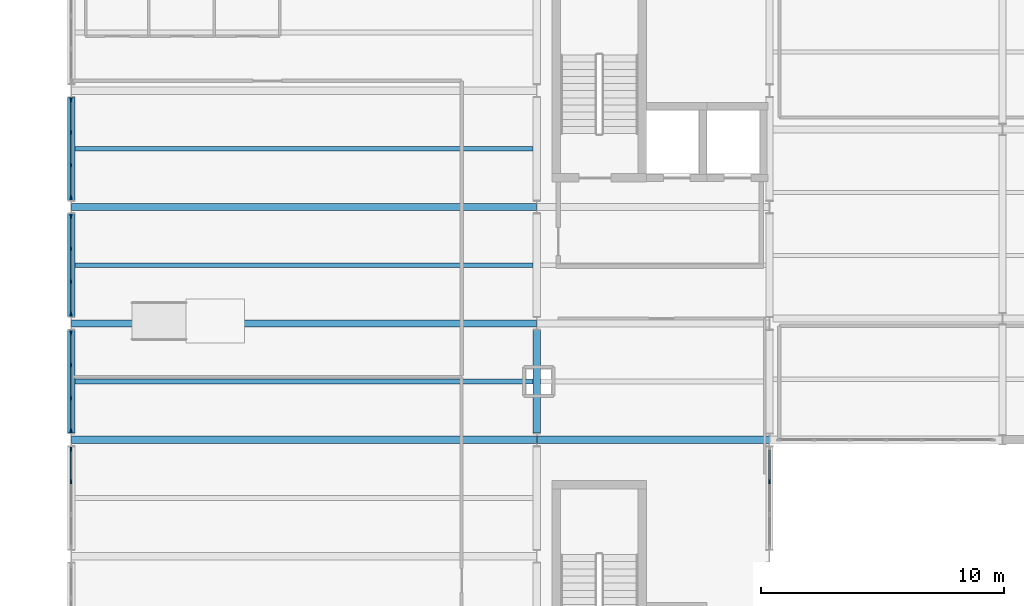
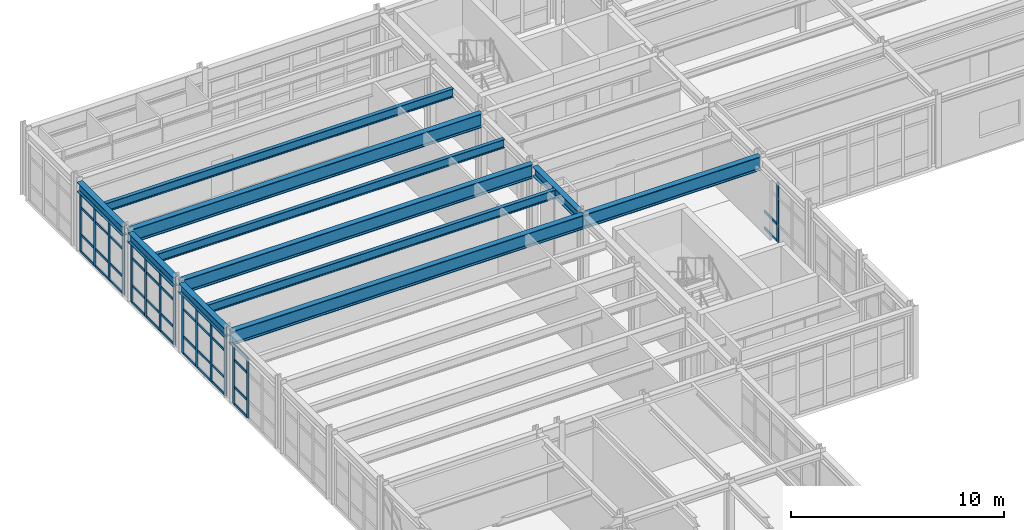
# One storey, part 32 of 88: 57 members, 11 beams, 5 elements without a shape of their own.
"""IFC4 building model written with IfcOpenShell, lengths in metres."""

import ifcopenshell
import ifcopenshell.guid

model = None  # the IFC model being written
_history = None  # IfcOwnerHistory: only IFC2X3 demands one
_inside = {}  # id of a spatial element -> (the spatial element, [elements in it])
_under = {}  # id of a project, library or spatial element -> (it, [spatial elements below it])
_declared = {}  # id of a project -> (the project, [libraries it declares])
_typed = {}  # id of a type object -> (the type object, [elements of that type])
_made_of = {}  # id of a material, layer set ... -> (it, [elements and type objects made of it])


def new_model(schema):
    """Start an empty IFC model of exactly this schema.

    Asked for "IFC4X3", IfcOpenShell would pick the latest addendum, in which some entities
    have other attributes; the version numbers below select the first issue.
    IFC2X3 requires an IfcOwnerHistory on every rooted entity: one is made here for all.
    """
    global model, _history
    if schema == "IFC4X3":
        model = ifcopenshell.file(schema_version=(4, 3, 0, 0))
    else:
        model = ifcopenshell.file(schema=schema)
    _inside.clear()
    _under.clear()
    _declared.clear()
    _typed.clear()
    _made_of.clear()
    _history = None
    if model.schema == "IFC2X3":
        org = make("IfcOrganization", Name="unknown")
        user = make(
            "IfcPersonAndOrganization",
            ThePerson=make("IfcPerson", FamilyName="unknown"),
            TheOrganization=org,
        )
        app = make(
            "IfcApplication",
            ApplicationDeveloper=org,
            Version="unknown",
            ApplicationFullName="unknown",
            ApplicationIdentifier="unknown",
        )
        _history = make(
            "IfcOwnerHistory",
            OwningUser=user,
            OwningApplication=app,
            ChangeAction="ADDED",
            CreationDate=0,
        )
    return model


def make(cls, **values):
    """One entity of the class cls with the attributes given. An attribute that is None is left unset."""
    return model.create_entity(
        cls, **{name: value for name, value in values.items() if value is not None}
    )


def rooted(cls, **values):
    """An entity with a GlobalId (a new one), such as an element, a storey or a relation."""
    return make(cls, GlobalId=ifcopenshell.guid.new(), OwnerHistory=_history, **values)


def si_unit(unit_type, name, prefix=None):
    """IfcSIUnit, for example si_unit("LENGTHUNIT", "METRE", prefix="MILLI")."""
    return make("IfcSIUnit", UnitType=unit_type, Prefix=prefix, Name=name)


def assignment(units):
    """IfcUnitAssignment: the units of a project."""
    return None if units is None else make("IfcUnitAssignment", Units=units)


def point(xyz):
    """IfcCartesianPoint."""
    return None if xyz is None else make("IfcCartesianPoint", Coordinates=xyz)


def direction(xyz):
    """IfcDirection."""
    return None if xyz is None else make("IfcDirection", DirectionRatios=xyz)


def frame(location, z_axis=None, x_axis=None):
    """IfcAxis2Placement3D, a coordinate frame: its origin and axes. An axis left out is left unset."""
    return make(
        "IfcAxis2Placement3D",
        Location=point(location),
        Axis=direction(z_axis),
        RefDirection=direction(x_axis),
    )


def frame_2d(location, x_axis=None):
    """IfcAxis2Placement2D, a coordinate frame in the plane: its origin and x axis."""
    return make(
        "IfcAxis2Placement2D", Location=point(location), RefDirection=direction(x_axis)
    )


def origin():
    """The frame at (0, 0, 0) with its axes left unset."""
    return frame((0.0, 0.0, 0.0))


def origin_2d():
    """The frame at (0, 0) in the plane with its x axis left unset."""
    return frame_2d((0.0, 0.0))


def place(relative_to, where):
    """IfcLocalPlacement: puts the frame where relative to a parent placement (None: the world)."""
    return make(
        "IfcLocalPlacement", PlacementRelTo=relative_to, RelativePlacement=where
    )


def context(
    kind, dimensions, precision=None, world=None, true_north=None, identifier=None
):
    """IfcGeometricRepresentationContext, for example the 3D "Model" context."""
    return make(
        "IfcGeometricRepresentationContext",
        ContextIdentifier=identifier,
        ContextType=kind,
        CoordinateSpaceDimension=dimensions,
        Precision=precision,
        WorldCoordinateSystem=world,
        TrueNorth=true_north,
    )


def subcontext(parent, identifier, kind, view, scale=None):
    """IfcGeometricRepresentationSubContext, for example "Body" below "Model"."""
    return make(
        "IfcGeometricRepresentationSubContext",
        ContextIdentifier=identifier,
        ContextType=kind,
        ParentContext=parent,
        TargetScale=scale,
        TargetView=view,
    )


def project(units=None, contexts=None):
    """IfcProject with its units and contexts."""
    return rooted(
        "IfcProject",
        Name="project",
        RepresentationContexts=contexts,
        UnitsInContext=assignment(units),
    )


def spatial(cls, under=None, at=None, **own):
    """A site, building, storey or space (cls), placed at a placement, below another one or the project."""
    s = rooted(cls, ObjectPlacement=at, **own)
    if under is not None:
        _under.setdefault(under.id(), (under, []))[1].append(s)
    return s


def profile(cls, at=None, kind="AREA", **sizes):
    """A parametric profile (cls). Its sizes go by their IFC names, for example OverallWidth=200.0."""
    return make(cls, ProfileType=kind, Position=at, **sizes)


def rectangle(**sizes):
    """IfcRectangleProfileDef."""
    return profile("IfcRectangleProfileDef", **sizes)


def i_section(**sizes):
    """IfcIShapeProfileDef."""
    return profile("IfcIShapeProfileDef", **sizes)


def extrude(swept, where, along, depth):
    """IfcExtrudedAreaSolid: the profile swept, set in the frame where, extruded along a direction by depth."""
    return make(
        "IfcExtrudedAreaSolid",
        SweptArea=swept,
        Position=where,
        ExtrudedDirection=direction(along),
        Depth=depth,
    )


def shape(context_of_items, identifier, shape_type, items):
    """IfcShapeRepresentation: the items that make up one representation, for example the "Body"."""
    return make(
        "IfcShapeRepresentation",
        ContextOfItems=context_of_items,
        RepresentationIdentifier=identifier,
        RepresentationType=shape_type,
        Items=items,
    )


def material(Name=None, Category=None):
    """IfcMaterial."""
    return make("IfcMaterial", Name=Name, Category=Category)


def layer(
    of_material, thickness, ventilated=None, Name=None, Category=None, Priority=None
):
    """IfcMaterialLayer: one layer of a wall or slab, of a material (None: an air gap)."""
    return make(
        "IfcMaterialLayer",
        Material=of_material,
        LayerThickness=thickness,
        IsVentilated=ventilated,
        Name=Name,
        Category=Category,
        Priority=Priority,
    )


def layer_set(layers, Name=None):
    """IfcMaterialLayerSet."""
    return make("IfcMaterialLayerSet", MaterialLayers=layers, LayerSetName=Name)


def material_profile(
    of_material, cross_section, Name=None, Category=None, Priority=None
):
    """IfcMaterialProfile: a cross section and its material."""
    return make(
        "IfcMaterialProfile",
        Name=Name,
        Material=of_material,
        Profile=cross_section,
        Priority=Priority,
        Category=Category,
    )


def profile_set(profiles, Name=None, composite=None):
    """IfcMaterialProfileSet."""
    return make(
        "IfcMaterialProfileSet",
        Name=Name,
        MaterialProfiles=profiles,
        CompositeProfile=composite,
    )


def made_of(thing, what):
    """Note that an element or type object is made of a material, layer set ...; save() writes the relation."""
    if what is not None:
        _made_of.setdefault(what.id(), (what, []))[1].append(thing)
    return thing


def type_object(cls, material=None, **own):
    """A type object (cls), such as IfcWallType, which elements share."""
    return made_of(rooted(cls, **own), material)


def element(
    cls,
    number,
    at=None,
    inside=None,
    cuts=None,
    type_object=None,
    material=None,
    context=None,
    identifier="Body",
    shape_type=None,
    held_by="IfcProductDefinitionShape",
    body=None,
    shapes=None,
    **own,
):
    """One element of the class cls, such as IfcWall. Its Tag is "e" and its number.

    at: its placement. inside: the storey or other place that contains it. cuts: it is an
    opening in that element (IfcRelVoidsElement). A single representation is given by context,
    identifier, shape_type and body (its items); several are given by shapes. held_by: the class
    of the entity that holds the representations. save() writes the other relations.
    """
    e = rooted(cls, Tag="e%d" % number, ObjectPlacement=at, **own)
    if body is not None:
        shapes = [shape(context, identifier, shape_type, body)]
    if shapes is not None:
        e.Representation = make(held_by, Representations=shapes)
    if inside is not None:
        _inside.setdefault(inside.id(), (inside, []))[1].append(e)
    if cuts is not None:
        rooted(
            "IfcRelVoidsElement", RelatingBuildingElement=cuts, RelatedOpeningElement=e
        )
    if type_object is not None:
        _typed.setdefault(type_object.id(), (type_object, []))[1].append(e)
    return made_of(e, material)


def aggregate(whole, parts):
    """IfcRelAggregates: a whole, such as a stair, and the parts it consists of."""
    return rooted("IfcRelAggregates", RelatingObject=whole, RelatedObjects=parts)


def save(model, path):
    """Write the relations noted so far, then the file.

    IfcRelAggregates (storeys below a building ...), IfcRelContainedInSpatialStructure (elements
    in a storey), IfcRelDefinesByType, IfcRelAssociatesMaterial and IfcRelDeclares: one each for
    every whole, place, type object, material and project.
    """
    for whole, parts in _under.values():
        aggregate(whole, parts)
    for where, things in _inside.values():
        rooted(
            "IfcRelContainedInSpatialStructure",
            RelatedElements=things,
            RelatingStructure=where,
        )
    for kind, things in _typed.values():
        rooted("IfcRelDefinesByType", RelatedObjects=things, RelatingType=kind)
    for what, things in _made_of.values():
        rooted("IfcRelAssociatesMaterial", RelatedObjects=things, RelatingMaterial=what)
    for by, libraries in _declared.values():
        rooted("IfcRelDeclares", RelatingContext=by, RelatedDefinitions=libraries)
    model.write(path)


model = new_model("IFC4")

# Units and contexts
model_context = context("Model", 3, precision=1e-05, world=origin(), true_north=direction((0.0, 1.0)))
body_context = subcontext(model_context, "Body", "Model", "MODEL_VIEW")
ifc_project = project(units=[si_unit("LENGTHUNIT", "METRE"), si_unit("AREAUNIT", "SQUARE_METRE"), si_unit("VOLUMEUNIT", "CUBIC_METRE"), si_unit("PLANEANGLEUNIT", "RADIAN"), si_unit("MASSUNIT", "GRAM", prefix="KILO")], contexts=[model_context])

# Site, building, storey
site_placement = place(None, origin())
site = spatial("IfcSite", under=ifc_project, at=site_placement, CompositionType="ELEMENT")
building_placement = place(site_placement, origin())
building = spatial("IfcBuilding", under=site, at=building_placement, Name="Nordkorset Police Headquarters", CompositionType="ELEMENT")
storey_placement = place(building_placement, frame((0.0, 0.0, 9.449951171875)))
storey = spatial("IfcBuildingStorey", under=building, at=storey_placement, Name="L02", CompositionType="ELEMENT", Elevation=9.449951171875)

# Beams
ifc_material_1 = material(Name="Steel S355J2", Category="steel")
ifc_material_profile_1 = material_profile(ifc_material_1, i_section(OverallWidth=0.199951171875, OverallDepth=0.5, WebThickness=0.01025390625, FlangeThickness=0.01611328125, FilletRadius=0.02099609375, at=origin_2d()), Name="IPE 500")
ifc_profile_set_1 = profile_set([ifc_material_profile_1], Name="Steel S355J2")
beam_type_1 = type_object("IfcBeamType", Name="Beam_IPE_500", PredefinedType="BEAM", material=ifc_profile_set_1)
for number, where, z_axis, x_axis, name in (
    (1, (0.14990234375, 100.0, 3.719970703125), (1.0, 0.0, 0.0), (0.0, 1.0, 0.0), "Composite Floor Beam V1 L02 0-3-1"),
    (2, (0.14990234375, 104.800048828125, 3.719970703125), (1.0, 0.0, 0.0), (0.0, 1.0, 0.0), "Composite Floor Beam V1 L02 0-4-1"),
    (3, (0.14990234375, 109.60009765625, 3.719970703125), (1.0, 0.0, 0.0), (0.0, 1.0, 0.0), "Composite Floor Beam V1 L02 0-5-1"),
):
    element("IfcBeam", number, at=place(storey_placement, frame(where, z_axis=z_axis, x_axis=x_axis)), inside=storey, type_object=beam_type_1, Name=name, PredefinedType="BEAM", context=body_context, shape_type="SweptSolid", body=[
        extrude(i_section(OverallWidth=0.199951171875, OverallDepth=0.5, WebThickness=0.01025390625, FlangeThickness=0.01611328125, FilletRadius=0.02099609375, at=origin_2d()), origin(), (0.0, 0.0, 1.0), 18.900146484375),
    ])

# Curtain wall, members
ifc_material_2 = material(Name="Aluminium alloy AW-6060", Category="aluminium")
ifc_layer = layer(ifc_material_2, 0.179931640625, Name="Aluminium alloy AW-6060")
ifc_layer_set = layer_set([ifc_layer], Name="Aluminium alloy AW-6060")
curtain_wall_type = type_object("IfcCurtainWallType", Name="CW_Unit_408x341", PredefinedType="USERDEFINED", material=ifc_layer_set)
curtain_wall_1_placement = place(storey_placement, origin())
curtain_wall_1 = element("IfcCurtainWall", 4, at=curtain_wall_1_placement, inside=storey, type_object=curtain_wall_type, Name="Unitised Curtain Wall L02 V1W-2", ObjectType="UNITISED CURTAIN WALL", PredefinedType="USERDEFINED")
ifc_material_3 = material(Name="Aluminium alloy AW-6060", Category="aluminium")
ifc_material_profile_2 = material_profile(ifc_material_3, rectangle(XDim=0.06494140625, YDim=0.179931640625, at=origin_2d()), Name="ALU MULL 65x180")
ifc_profile_set_2 = profile_set([ifc_material_profile_2], Name="Aluminium alloy AW-6060")
member_type_1 = type_object("IfcMemberType", Name="CW_Mullion_65x180", PredefinedType="MULLION", material=ifc_profile_set_2)
member_1_placement = place(storey_placement, frame((0.0, 95.8798828125, 0.0), z_axis=(0.0, 0.0, 1.0), x_axis=(-1.0, 0.0, 0.0)))
member_1 = element("IfcMember", 5, at=member_1_placement, type_object=member_type_1, Name="CW-40 mullion 3", PredefinedType="MULLION", context=body_context, shape_type="SweptSolid", body=[
    extrude(rectangle(XDim=0.06494140625, YDim=0.179931640625, at=origin_2d()), origin(), (0.0, 0.0, 1.0), 3.41015625),
])
member_2_placement = place(storey_placement, frame((0.0, 97.20751953125, 0.0), z_axis=(0.0, 0.0, 1.0), x_axis=(-1.0, 0.0, 0.0)))
member_2 = element("IfcMember", 6, at=member_2_placement, type_object=member_type_1, Name="CW-40 mullion 4", PredefinedType="MULLION", context=body_context, shape_type="SweptSolid", body=[
    extrude(rectangle(XDim=0.06494140625, YDim=0.179931640625, at=origin_2d()), origin(), (0.0, 0.0, 1.0), 3.41015625),
])

curtain_wall_2_placement = place(storey_placement, origin())
curtain_wall_2 = element("IfcCurtainWall", 7, at=curtain_wall_2_placement, inside=storey, type_object=curtain_wall_type, Name="Unitised Curtain Wall L02 V1W-3", ObjectType="UNITISED CURTAIN WALL", PredefinedType="USERDEFINED")
member_3_placement = place(storey_placement, frame((0.0, 97.992431640625, 0.0), z_axis=(0.0, 0.0, 1.0), x_axis=(-1.0, 0.0, 0.0)))
member_3 = element("IfcMember", 8, at=member_3_placement, type_object=member_type_1, Name="CW-40 mullion 1", PredefinedType="MULLION", context=body_context, shape_type="SweptSolid", body=[
    extrude(rectangle(XDim=0.06494140625, YDim=0.179931640625, at=origin_2d()), origin(), (0.0, 0.0, 1.0), 3.41015625),
])
member_4_placement = place(storey_placement, frame((0.0, 99.320068359375, 0.0), z_axis=(0.0, 0.0, 1.0), x_axis=(-1.0, 0.0, 0.0)))
member_4 = element("IfcMember", 9, at=member_4_placement, type_object=member_type_1, Name="CW-40 mullion 2", PredefinedType="MULLION", context=body_context, shape_type="SweptSolid", body=[
    extrude(rectangle(XDim=0.06494140625, YDim=0.179931640625, at=origin_2d()), origin(), (0.0, 0.0, 1.0), 3.41015625),
])
member_5_placement = place(storey_placement, frame((0.0, 100.679931640625, 0.0), z_axis=(0.0, 0.0, 1.0), x_axis=(-1.0, 0.0, 0.0)))
member_5 = element("IfcMember", 10, at=member_5_placement, type_object=member_type_1, Name="CW-40 mullion 3", PredefinedType="MULLION", context=body_context, shape_type="SweptSolid", body=[
    extrude(rectangle(XDim=0.06494140625, YDim=0.179931640625, at=origin_2d()), origin(), (0.0, 0.0, 1.0), 3.41015625),
])
member_6_placement = place(storey_placement, frame((0.0, 102.007568359375, 0.0), z_axis=(0.0, 0.0, 1.0), x_axis=(-1.0, 0.0, 0.0)))
member_6 = element("IfcMember", 11, at=member_6_placement, type_object=member_type_1, Name="CW-40 mullion 4", PredefinedType="MULLION", context=body_context, shape_type="SweptSolid", body=[
    extrude(rectangle(XDim=0.06494140625, YDim=0.179931640625, at=origin_2d()), origin(), (0.0, 0.0, 1.0), 3.41015625),
])

curtain_wall_3_placement = place(storey_placement, origin())
curtain_wall_3 = element("IfcCurtainWall", 12, at=curtain_wall_3_placement, inside=storey, type_object=curtain_wall_type, Name="Unitised Curtain Wall L02 V1W-4", ObjectType="UNITISED CURTAIN WALL", PredefinedType="USERDEFINED")
member_7_placement = place(storey_placement, frame((0.0, 102.79248046875, 0.0), z_axis=(0.0, 0.0, 1.0), x_axis=(-1.0, 0.0, 0.0)))
member_7 = element("IfcMember", 13, at=member_7_placement, type_object=member_type_1, Name="CW-40 mullion 1", PredefinedType="MULLION", context=body_context, shape_type="SweptSolid", body=[
    extrude(rectangle(XDim=0.06494140625, YDim=0.179931640625, at=origin_2d()), origin(), (0.0, 0.0, 1.0), 3.41015625),
])
member_8_placement = place(storey_placement, frame((0.0, 104.1201171875, 0.0), z_axis=(0.0, 0.0, 1.0), x_axis=(-1.0, 0.0, 0.0)))
member_8 = element("IfcMember", 14, at=member_8_placement, type_object=member_type_1, Name="CW-40 mullion 2", PredefinedType="MULLION", context=body_context, shape_type="SweptSolid", body=[
    extrude(rectangle(XDim=0.06494140625, YDim=0.179931640625, at=origin_2d()), origin(), (0.0, 0.0, 1.0), 3.41015625),
])
member_9_placement = place(storey_placement, frame((0.0, 105.47998046875, 0.0), z_axis=(0.0, 0.0, 1.0), x_axis=(-1.0, 0.0, 0.0)))
member_9 = element("IfcMember", 15, at=member_9_placement, type_object=member_type_1, Name="CW-40 mullion 3", PredefinedType="MULLION", context=body_context, shape_type="SweptSolid", body=[
    extrude(rectangle(XDim=0.06494140625, YDim=0.179931640625, at=origin_2d()), origin(), (0.0, 0.0, 1.0), 3.41015625),
])
member_10_placement = place(storey_placement, frame((0.0, 106.8076171875, 0.0), z_axis=(0.0, 0.0, 1.0), x_axis=(-1.0, 0.0, 0.0)))
member_10 = element("IfcMember", 16, at=member_10_placement, type_object=member_type_1, Name="CW-40 mullion 4", PredefinedType="MULLION", context=body_context, shape_type="SweptSolid", body=[
    extrude(rectangle(XDim=0.06494140625, YDim=0.179931640625, at=origin_2d()), origin(), (0.0, 0.0, 1.0), 3.41015625),
])

curtain_wall_4_placement = place(storey_placement, origin())
curtain_wall_4 = element("IfcCurtainWall", 17, at=curtain_wall_4_placement, inside=storey, type_object=curtain_wall_type, Name="Unitised Curtain Wall L02 V1W-5", ObjectType="UNITISED CURTAIN WALL", PredefinedType="USERDEFINED")
member_11_placement = place(storey_placement, frame((0.0, 107.592529296875, 0.0), z_axis=(0.0, 0.0, 1.0), x_axis=(-1.0, 0.0, 0.0)))
member_11 = element("IfcMember", 18, at=member_11_placement, type_object=member_type_1, Name="CW-40 mullion 1", PredefinedType="MULLION", context=body_context, shape_type="SweptSolid", body=[
    extrude(rectangle(XDim=0.06494140625, YDim=0.179931640625, at=origin_2d()), origin(), (0.0, 0.0, 1.0), 3.41015625),
])
member_12_placement = place(storey_placement, frame((0.0, 108.919921875, 0.0), z_axis=(0.0, 0.0, 1.0), x_axis=(-1.0, 0.0, 0.0)))
member_12 = element("IfcMember", 19, at=member_12_placement, type_object=member_type_1, Name="CW-40 mullion 2", PredefinedType="MULLION", context=body_context, shape_type="SweptSolid", body=[
    extrude(rectangle(XDim=0.06494140625, YDim=0.179931640625, at=origin_2d()), origin(), (0.0, 0.0, 1.0), 3.41015625),
])
member_13_placement = place(storey_placement, frame((0.0, 110.280029296875, 0.0), z_axis=(0.0, 0.0, 1.0), x_axis=(-1.0, 0.0, 0.0)))
member_13 = element("IfcMember", 20, at=member_13_placement, type_object=member_type_1, Name="CW-40 mullion 3", PredefinedType="MULLION", context=body_context, shape_type="SweptSolid", body=[
    extrude(rectangle(XDim=0.06494140625, YDim=0.179931640625, at=origin_2d()), origin(), (0.0, 0.0, 1.0), 3.41015625),
])
member_14_placement = place(storey_placement, frame((0.0, 111.607421875, 0.0), z_axis=(0.0, 0.0, 1.0), x_axis=(-1.0, 0.0, 0.0)))
member_14 = element("IfcMember", 21, at=member_14_placement, type_object=member_type_1, Name="CW-40 mullion 4", PredefinedType="MULLION", context=body_context, shape_type="SweptSolid", body=[
    extrude(rectangle(XDim=0.06494140625, YDim=0.179931640625, at=origin_2d()), origin(), (0.0, 0.0, 1.0), 3.41015625),
])

# Curtain wall, member
curtain_wall_5_placement = place(storey_placement, origin())
curtain_wall_5 = element("IfcCurtainWall", 22, at=curtain_wall_5_placement, inside=storey, type_object=curtain_wall_type, Name="Unitised Curtain Wall L02 V1E-2", ObjectType="UNITISED CURTAIN WALL", PredefinedType="USERDEFINED")
member_15_placement = place(storey_placement, frame((28.800048828125, 95.8798828125, 0.0), z_axis=(0.0, 0.0, 1.0), x_axis=(-1.0, 0.0, 0.0)))
member_15 = element("IfcMember", 23, at=member_15_placement, type_object=member_type_1, Name="CW-40 mullion 3", PredefinedType="MULLION", context=body_context, shape_type="SweptSolid", body=[
    extrude(rectangle(XDim=0.06494140625, YDim=0.179931640625, at=origin_2d()), origin(), (0.0, 0.0, 1.0), 3.41015625),
])

# Member
ifc_material_4 = material(Name="Aluminium alloy AW-6060", Category="aluminium")
ifc_material_profile_3 = material_profile(ifc_material_4, rectangle(XDim=0.06494140625, YDim=0.139892578125, at=origin_2d()), Name="ALU TRAN 65x140")
ifc_profile_set_3 = profile_set([ifc_material_profile_3], Name="Aluminium alloy AW-6060")
member_type_2 = type_object("IfcMemberType", Name="CW_Transom_65x140", PredefinedType="USERDEFINED", material=ifc_profile_set_3)
member_16_placement = place(storey_placement, frame((0.0, 95.91259765625, 0.032470703125), z_axis=(0.0, 1.0, 0.0), x_axis=(-1.0, 0.0, 0.0)))
member_16 = element("IfcMember", 24, at=member_16_placement, type_object=member_type_2, Name="CW-40 transom 3.1", ObjectType="TRANSOM", PredefinedType="USERDEFINED", context=body_context, shape_type="SweptSolid", body=[
    extrude(rectangle(XDim=0.06494140625, YDim=0.139892578125, at=origin_2d()), origin(), (0.0, 0.0, 1.0), 1.262451171875),
])

member_17_placement = place(storey_placement, frame((0.0, 95.91259765625, 1.0), z_axis=(0.0, 1.0, 0.0), x_axis=(-1.0, 0.0, 0.0)))
member_17 = element("IfcMember", 25, at=member_17_placement, type_object=member_type_2, Name="CW-40 transom 3.2", ObjectType="TRANSOM", PredefinedType="USERDEFINED", context=body_context, shape_type="SweptSolid", body=[
    extrude(rectangle(XDim=0.06494140625, YDim=0.139892578125, at=origin_2d()), origin(), (0.0, 0.0, 1.0), 1.262451171875),
])

member_18_placement = place(storey_placement, frame((0.0, 95.91259765625, 2.56005859375), z_axis=(0.0, 1.0, 0.0), x_axis=(-1.0, 0.0, 0.0)))
member_18 = element("IfcMember", 26, at=member_18_placement, type_object=member_type_2, Name="CW-40 transom 3.3", ObjectType="TRANSOM", PredefinedType="USERDEFINED", context=body_context, shape_type="SweptSolid", body=[
    extrude(rectangle(XDim=0.06494140625, YDim=0.139892578125, at=origin_2d()), origin(), (0.0, 0.0, 1.0), 1.262451171875),
])

member_19_placement = place(storey_placement, frame((0.0, 95.91259765625, 3.37744140625), z_axis=(0.0, 1.0, 0.0), x_axis=(-1.0, 0.0, 0.0)))
member_19 = element("IfcMember", 27, at=member_19_placement, type_object=member_type_2, Name="CW-40 transom 3.4", ObjectType="TRANSOM", PredefinedType="USERDEFINED", context=body_context, shape_type="SweptSolid", body=[
    extrude(rectangle(XDim=0.06494140625, YDim=0.139892578125, at=origin_2d()), origin(), (0.0, 0.0, 1.0), 1.262451171875),
])

aggregate(curtain_wall_1, [member_1, member_2, member_16, member_17, member_18, member_19])

member_20_placement = place(storey_placement, frame((0.0, 98.02490234375, 0.032470703125), z_axis=(0.0, 1.0, 0.0), x_axis=(-1.0, 0.0, 0.0)))
member_20 = element("IfcMember", 28, at=member_20_placement, type_object=member_type_2, Name="CW-40 transom 1.1", ObjectType="TRANSOM", PredefinedType="USERDEFINED", context=body_context, shape_type="SweptSolid", body=[
    extrude(rectangle(XDim=0.06494140625, YDim=0.139892578125, at=origin_2d()), origin(), (0.0, 0.0, 1.0), 1.2626953125),
])

member_21_placement = place(storey_placement, frame((0.0, 98.02490234375, 1.0), z_axis=(0.0, 1.0, 0.0), x_axis=(-1.0, 0.0, 0.0)))
member_21 = element("IfcMember", 29, at=member_21_placement, type_object=member_type_2, Name="CW-40 transom 1.2", ObjectType="TRANSOM", PredefinedType="USERDEFINED", context=body_context, shape_type="SweptSolid", body=[
    extrude(rectangle(XDim=0.06494140625, YDim=0.139892578125, at=origin_2d()), origin(), (0.0, 0.0, 1.0), 1.2626953125),
])

member_22_placement = place(storey_placement, frame((0.0, 98.02490234375, 2.56005859375), z_axis=(0.0, 1.0, 0.0), x_axis=(-1.0, 0.0, 0.0)))
member_22 = element("IfcMember", 30, at=member_22_placement, type_object=member_type_2, Name="CW-40 transom 1.3", ObjectType="TRANSOM", PredefinedType="USERDEFINED", context=body_context, shape_type="SweptSolid", body=[
    extrude(rectangle(XDim=0.06494140625, YDim=0.139892578125, at=origin_2d()), origin(), (0.0, 0.0, 1.0), 1.2626953125),
])

member_23_placement = place(storey_placement, frame((0.0, 98.02490234375, 3.37744140625), z_axis=(0.0, 1.0, 0.0), x_axis=(-1.0, 0.0, 0.0)))
member_23 = element("IfcMember", 31, at=member_23_placement, type_object=member_type_2, Name="CW-40 transom 1.4", ObjectType="TRANSOM", PredefinedType="USERDEFINED", context=body_context, shape_type="SweptSolid", body=[
    extrude(rectangle(XDim=0.06494140625, YDim=0.139892578125, at=origin_2d()), origin(), (0.0, 0.0, 1.0), 1.2626953125),
])

member_24_placement = place(storey_placement, frame((0.0, 99.3525390625, 0.032470703125), z_axis=(0.0, 1.0, 0.0), x_axis=(-1.0, 0.0, 0.0)))
member_24 = element("IfcMember", 32, at=member_24_placement, type_object=member_type_2, Name="CW-40 transom 2.1", ObjectType="TRANSOM", PredefinedType="USERDEFINED", context=body_context, shape_type="SweptSolid", body=[
    extrude(rectangle(XDim=0.06494140625, YDim=0.139892578125, at=origin_2d()), origin(), (0.0, 0.0, 1.0), 1.294921875),
])

member_25_placement = place(storey_placement, frame((0.0, 99.3525390625, 1.0), z_axis=(0.0, 1.0, 0.0), x_axis=(-1.0, 0.0, 0.0)))
member_25 = element("IfcMember", 33, at=member_25_placement, type_object=member_type_2, Name="CW-40 transom 2.2", ObjectType="TRANSOM", PredefinedType="USERDEFINED", context=body_context, shape_type="SweptSolid", body=[
    extrude(rectangle(XDim=0.06494140625, YDim=0.139892578125, at=origin_2d()), origin(), (0.0, 0.0, 1.0), 1.294921875),
])

member_26_placement = place(storey_placement, frame((0.0, 99.3525390625, 2.56005859375), z_axis=(0.0, 1.0, 0.0), x_axis=(-1.0, 0.0, 0.0)))
member_26 = element("IfcMember", 34, at=member_26_placement, type_object=member_type_2, Name="CW-40 transom 2.3", ObjectType="TRANSOM", PredefinedType="USERDEFINED", context=body_context, shape_type="SweptSolid", body=[
    extrude(rectangle(XDim=0.06494140625, YDim=0.139892578125, at=origin_2d()), origin(), (0.0, 0.0, 1.0), 1.294921875),
])

member_27_placement = place(storey_placement, frame((0.0, 99.3525390625, 3.37744140625), z_axis=(0.0, 1.0, 0.0), x_axis=(-1.0, 0.0, 0.0)))
member_27 = element("IfcMember", 35, at=member_27_placement, type_object=member_type_2, Name="CW-40 transom 2.4", ObjectType="TRANSOM", PredefinedType="USERDEFINED", context=body_context, shape_type="SweptSolid", body=[
    extrude(rectangle(XDim=0.06494140625, YDim=0.139892578125, at=origin_2d()), origin(), (0.0, 0.0, 1.0), 1.294921875),
])

member_28_placement = place(storey_placement, frame((0.0, 100.71240234375, 0.032470703125), z_axis=(0.0, 1.0, 0.0), x_axis=(-1.0, 0.0, 0.0)))
member_28 = element("IfcMember", 36, at=member_28_placement, type_object=member_type_2, Name="CW-40 transom 3.1", ObjectType="TRANSOM", PredefinedType="USERDEFINED", context=body_context, shape_type="SweptSolid", body=[
    extrude(rectangle(XDim=0.06494140625, YDim=0.139892578125, at=origin_2d()), origin(), (0.0, 0.0, 1.0), 1.2626953125),
])

member_29_placement = place(storey_placement, frame((0.0, 100.71240234375, 1.0), z_axis=(0.0, 1.0, 0.0), x_axis=(-1.0, 0.0, 0.0)))
member_29 = element("IfcMember", 37, at=member_29_placement, type_object=member_type_2, Name="CW-40 transom 3.2", ObjectType="TRANSOM", PredefinedType="USERDEFINED", context=body_context, shape_type="SweptSolid", body=[
    extrude(rectangle(XDim=0.06494140625, YDim=0.139892578125, at=origin_2d()), origin(), (0.0, 0.0, 1.0), 1.2626953125),
])

member_30_placement = place(storey_placement, frame((0.0, 100.71240234375, 2.56005859375), z_axis=(0.0, 1.0, 0.0), x_axis=(-1.0, 0.0, 0.0)))
member_30 = element("IfcMember", 38, at=member_30_placement, type_object=member_type_2, Name="CW-40 transom 3.3", ObjectType="TRANSOM", PredefinedType="USERDEFINED", context=body_context, shape_type="SweptSolid", body=[
    extrude(rectangle(XDim=0.06494140625, YDim=0.139892578125, at=origin_2d()), origin(), (0.0, 0.0, 1.0), 1.2626953125),
])

member_31_placement = place(storey_placement, frame((0.0, 100.71240234375, 3.37744140625), z_axis=(0.0, 1.0, 0.0), x_axis=(-1.0, 0.0, 0.0)))
member_31 = element("IfcMember", 39, at=member_31_placement, type_object=member_type_2, Name="CW-40 transom 3.4", ObjectType="TRANSOM", PredefinedType="USERDEFINED", context=body_context, shape_type="SweptSolid", body=[
    extrude(rectangle(XDim=0.06494140625, YDim=0.139892578125, at=origin_2d()), origin(), (0.0, 0.0, 1.0), 1.2626953125),
])

aggregate(curtain_wall_2, [member_3, member_4, member_5, member_6, member_20, member_21, member_22, member_23, member_24, member_25, member_26, member_27, member_28, member_29, member_30, member_31])

member_32_placement = place(storey_placement, frame((0.0, 102.824951171875, 0.032470703125), z_axis=(0.0, 1.0, 0.0), x_axis=(-1.0, 0.0, 0.0)))
member_32 = element("IfcMember", 40, at=member_32_placement, type_object=member_type_2, Name="CW-40 transom 1.1", ObjectType="TRANSOM", PredefinedType="USERDEFINED", context=body_context, shape_type="SweptSolid", body=[
    extrude(rectangle(XDim=0.06494140625, YDim=0.139892578125, at=origin_2d()), origin(), (0.0, 0.0, 1.0), 1.262451171875),
])

member_33_placement = place(storey_placement, frame((0.0, 102.824951171875, 1.0), z_axis=(0.0, 1.0, 0.0), x_axis=(-1.0, 0.0, 0.0)))
member_33 = element("IfcMember", 41, at=member_33_placement, type_object=member_type_2, Name="CW-40 transom 1.2", ObjectType="TRANSOM", PredefinedType="USERDEFINED", context=body_context, shape_type="SweptSolid", body=[
    extrude(rectangle(XDim=0.06494140625, YDim=0.139892578125, at=origin_2d()), origin(), (0.0, 0.0, 1.0), 1.262451171875),
])

member_34_placement = place(storey_placement, frame((0.0, 102.824951171875, 2.56005859375), z_axis=(0.0, 1.0, 0.0), x_axis=(-1.0, 0.0, 0.0)))
member_34 = element("IfcMember", 42, at=member_34_placement, type_object=member_type_2, Name="CW-40 transom 1.3", ObjectType="TRANSOM", PredefinedType="USERDEFINED", context=body_context, shape_type="SweptSolid", body=[
    extrude(rectangle(XDim=0.06494140625, YDim=0.139892578125, at=origin_2d()), origin(), (0.0, 0.0, 1.0), 1.262451171875),
])

member_35_placement = place(storey_placement, frame((0.0, 102.824951171875, 3.37744140625), z_axis=(0.0, 1.0, 0.0), x_axis=(-1.0, 0.0, 0.0)))
member_35 = element("IfcMember", 43, at=member_35_placement, type_object=member_type_2, Name="CW-40 transom 1.4", ObjectType="TRANSOM", PredefinedType="USERDEFINED", context=body_context, shape_type="SweptSolid", body=[
    extrude(rectangle(XDim=0.06494140625, YDim=0.139892578125, at=origin_2d()), origin(), (0.0, 0.0, 1.0), 1.262451171875),
])

member_36_placement = place(storey_placement, frame((0.0, 104.152587890625, 0.032470703125), z_axis=(0.0, 1.0, 0.0), x_axis=(-1.0, 0.0, 0.0)))
member_36 = element("IfcMember", 44, at=member_36_placement, type_object=member_type_2, Name="CW-40 transom 2.1", ObjectType="TRANSOM", PredefinedType="USERDEFINED", context=body_context, shape_type="SweptSolid", body=[
    extrude(rectangle(XDim=0.06494140625, YDim=0.139892578125, at=origin_2d()), origin(), (0.0, 0.0, 1.0), 1.294921875),
])

member_37_placement = place(storey_placement, frame((0.0, 104.152587890625, 1.0), z_axis=(0.0, 1.0, 0.0), x_axis=(-1.0, 0.0, 0.0)))
member_37 = element("IfcMember", 45, at=member_37_placement, type_object=member_type_2, Name="CW-40 transom 2.2", ObjectType="TRANSOM", PredefinedType="USERDEFINED", context=body_context, shape_type="SweptSolid", body=[
    extrude(rectangle(XDim=0.06494140625, YDim=0.139892578125, at=origin_2d()), origin(), (0.0, 0.0, 1.0), 1.294921875),
])

member_38_placement = place(storey_placement, frame((0.0, 104.152587890625, 2.56005859375), z_axis=(0.0, 1.0, 0.0), x_axis=(-1.0, 0.0, 0.0)))
member_38 = element("IfcMember", 46, at=member_38_placement, type_object=member_type_2, Name="CW-40 transom 2.3", ObjectType="TRANSOM", PredefinedType="USERDEFINED", context=body_context, shape_type="SweptSolid", body=[
    extrude(rectangle(XDim=0.06494140625, YDim=0.139892578125, at=origin_2d()), origin(), (0.0, 0.0, 1.0), 1.294921875),
])

member_39_placement = place(storey_placement, frame((0.0, 104.152587890625, 3.37744140625), z_axis=(0.0, 1.0, 0.0), x_axis=(-1.0, 0.0, 0.0)))
member_39 = element("IfcMember", 47, at=member_39_placement, type_object=member_type_2, Name="CW-40 transom 2.4", ObjectType="TRANSOM", PredefinedType="USERDEFINED", context=body_context, shape_type="SweptSolid", body=[
    extrude(rectangle(XDim=0.06494140625, YDim=0.139892578125, at=origin_2d()), origin(), (0.0, 0.0, 1.0), 1.294921875),
])

member_40_placement = place(storey_placement, frame((0.0, 105.512451171875, 0.032470703125), z_axis=(0.0, 1.0, 0.0), x_axis=(-1.0, 0.0, 0.0)))
member_40 = element("IfcMember", 48, at=member_40_placement, type_object=member_type_2, Name="CW-40 transom 3.1", ObjectType="TRANSOM", PredefinedType="USERDEFINED", context=body_context, shape_type="SweptSolid", body=[
    extrude(rectangle(XDim=0.06494140625, YDim=0.139892578125, at=origin_2d()), origin(), (0.0, 0.0, 1.0), 1.262451171875),
])

member_41_placement = place(storey_placement, frame((0.0, 105.512451171875, 1.0), z_axis=(0.0, 1.0, 0.0), x_axis=(-1.0, 0.0, 0.0)))
member_41 = element("IfcMember", 49, at=member_41_placement, type_object=member_type_2, Name="CW-40 transom 3.2", ObjectType="TRANSOM", PredefinedType="USERDEFINED", context=body_context, shape_type="SweptSolid", body=[
    extrude(rectangle(XDim=0.06494140625, YDim=0.139892578125, at=origin_2d()), origin(), (0.0, 0.0, 1.0), 1.262451171875),
])

member_42_placement = place(storey_placement, frame((0.0, 105.512451171875, 2.56005859375), z_axis=(0.0, 1.0, 0.0), x_axis=(-1.0, 0.0, 0.0)))
member_42 = element("IfcMember", 50, at=member_42_placement, type_object=member_type_2, Name="CW-40 transom 3.3", ObjectType="TRANSOM", PredefinedType="USERDEFINED", context=body_context, shape_type="SweptSolid", body=[
    extrude(rectangle(XDim=0.06494140625, YDim=0.139892578125, at=origin_2d()), origin(), (0.0, 0.0, 1.0), 1.262451171875),
])

member_43_placement = place(storey_placement, frame((0.0, 105.512451171875, 3.37744140625), z_axis=(0.0, 1.0, 0.0), x_axis=(-1.0, 0.0, 0.0)))
member_43 = element("IfcMember", 51, at=member_43_placement, type_object=member_type_2, Name="CW-40 transom 3.4", ObjectType="TRANSOM", PredefinedType="USERDEFINED", context=body_context, shape_type="SweptSolid", body=[
    extrude(rectangle(XDim=0.06494140625, YDim=0.139892578125, at=origin_2d()), origin(), (0.0, 0.0, 1.0), 1.262451171875),
])

aggregate(curtain_wall_3, [member_7, member_8, member_9, member_10, member_32, member_33, member_34, member_35, member_36, member_37, member_38, member_39, member_40, member_41, member_42, member_43])

member_44_placement = place(storey_placement, frame((0.0, 107.625, 0.032470703125), z_axis=(0.0, 1.0, 0.0), x_axis=(-1.0, 0.0, 0.0)))
member_44 = element("IfcMember", 52, at=member_44_placement, type_object=member_type_2, Name="CW-40 transom 1.1", ObjectType="TRANSOM", PredefinedType="USERDEFINED", context=body_context, shape_type="SweptSolid", body=[
    extrude(rectangle(XDim=0.06494140625, YDim=0.139892578125, at=origin_2d()), origin(), (0.0, 0.0, 1.0), 1.262451171875),
])

member_45_placement = place(storey_placement, frame((0.0, 107.625, 1.0), z_axis=(0.0, 1.0, 0.0), x_axis=(-1.0, 0.0, 0.0)))
member_45 = element("IfcMember", 53, at=member_45_placement, type_object=member_type_2, Name="CW-40 transom 1.2", ObjectType="TRANSOM", PredefinedType="USERDEFINED", context=body_context, shape_type="SweptSolid", body=[
    extrude(rectangle(XDim=0.06494140625, YDim=0.139892578125, at=origin_2d()), origin(), (0.0, 0.0, 1.0), 1.262451171875),
])

member_46_placement = place(storey_placement, frame((0.0, 107.625, 2.56005859375), z_axis=(0.0, 1.0, 0.0), x_axis=(-1.0, 0.0, 0.0)))
member_46 = element("IfcMember", 54, at=member_46_placement, type_object=member_type_2, Name="CW-40 transom 1.3", ObjectType="TRANSOM", PredefinedType="USERDEFINED", context=body_context, shape_type="SweptSolid", body=[
    extrude(rectangle(XDim=0.06494140625, YDim=0.139892578125, at=origin_2d()), origin(), (0.0, 0.0, 1.0), 1.262451171875),
])

member_47_placement = place(storey_placement, frame((0.0, 107.625, 3.37744140625), z_axis=(0.0, 1.0, 0.0), x_axis=(-1.0, 0.0, 0.0)))
member_47 = element("IfcMember", 55, at=member_47_placement, type_object=member_type_2, Name="CW-40 transom 1.4", ObjectType="TRANSOM", PredefinedType="USERDEFINED", context=body_context, shape_type="SweptSolid", body=[
    extrude(rectangle(XDim=0.06494140625, YDim=0.139892578125, at=origin_2d()), origin(), (0.0, 0.0, 1.0), 1.262451171875),
])

member_48_placement = place(storey_placement, frame((0.0, 108.952392578125, 0.032470703125), z_axis=(0.0, 1.0, 0.0), x_axis=(-1.0, 0.0, 0.0)))
member_48 = element("IfcMember", 56, at=member_48_placement, type_object=member_type_2, Name="CW-40 transom 2.1", ObjectType="TRANSOM", PredefinedType="USERDEFINED", context=body_context, shape_type="SweptSolid", body=[
    extrude(rectangle(XDim=0.06494140625, YDim=0.139892578125, at=origin_2d()), origin(), (0.0, 0.0, 1.0), 1.295166015625),
])

member_49_placement = place(storey_placement, frame((0.0, 108.952392578125, 1.0), z_axis=(0.0, 1.0, 0.0), x_axis=(-1.0, 0.0, 0.0)))
member_49 = element("IfcMember", 57, at=member_49_placement, type_object=member_type_2, Name="CW-40 transom 2.2", ObjectType="TRANSOM", PredefinedType="USERDEFINED", context=body_context, shape_type="SweptSolid", body=[
    extrude(rectangle(XDim=0.06494140625, YDim=0.139892578125, at=origin_2d()), origin(), (0.0, 0.0, 1.0), 1.295166015625),
])

member_50_placement = place(storey_placement, frame((0.0, 108.952392578125, 2.56005859375), z_axis=(0.0, 1.0, 0.0), x_axis=(-1.0, 0.0, 0.0)))
member_50 = element("IfcMember", 58, at=member_50_placement, type_object=member_type_2, Name="CW-40 transom 2.3", ObjectType="TRANSOM", PredefinedType="USERDEFINED", context=body_context, shape_type="SweptSolid", body=[
    extrude(rectangle(XDim=0.06494140625, YDim=0.139892578125, at=origin_2d()), origin(), (0.0, 0.0, 1.0), 1.295166015625),
])

member_51_placement = place(storey_placement, frame((0.0, 108.952392578125, 3.37744140625), z_axis=(0.0, 1.0, 0.0), x_axis=(-1.0, 0.0, 0.0)))
member_51 = element("IfcMember", 59, at=member_51_placement, type_object=member_type_2, Name="CW-40 transom 2.4", ObjectType="TRANSOM", PredefinedType="USERDEFINED", context=body_context, shape_type="SweptSolid", body=[
    extrude(rectangle(XDim=0.06494140625, YDim=0.139892578125, at=origin_2d()), origin(), (0.0, 0.0, 1.0), 1.295166015625),
])

member_52_placement = place(storey_placement, frame((0.0, 110.3125, 0.032470703125), z_axis=(0.0, 1.0, 0.0), x_axis=(-1.0, 0.0, 0.0)))
member_52 = element("IfcMember", 60, at=member_52_placement, type_object=member_type_2, Name="CW-40 transom 3.1", ObjectType="TRANSOM", PredefinedType="USERDEFINED", context=body_context, shape_type="SweptSolid", body=[
    extrude(rectangle(XDim=0.06494140625, YDim=0.139892578125, at=origin_2d()), origin(), (0.0, 0.0, 1.0), 1.262451171875),
])

member_53_placement = place(storey_placement, frame((0.0, 110.3125, 1.0), z_axis=(0.0, 1.0, 0.0), x_axis=(-1.0, 0.0, 0.0)))
member_53 = element("IfcMember", 61, at=member_53_placement, type_object=member_type_2, Name="CW-40 transom 3.2", ObjectType="TRANSOM", PredefinedType="USERDEFINED", context=body_context, shape_type="SweptSolid", body=[
    extrude(rectangle(XDim=0.06494140625, YDim=0.139892578125, at=origin_2d()), origin(), (0.0, 0.0, 1.0), 1.262451171875),
])

member_54_placement = place(storey_placement, frame((0.0, 110.3125, 2.56005859375), z_axis=(0.0, 1.0, 0.0), x_axis=(-1.0, 0.0, 0.0)))
member_54 = element("IfcMember", 62, at=member_54_placement, type_object=member_type_2, Name="CW-40 transom 3.3", ObjectType="TRANSOM", PredefinedType="USERDEFINED", context=body_context, shape_type="SweptSolid", body=[
    extrude(rectangle(XDim=0.06494140625, YDim=0.139892578125, at=origin_2d()), origin(), (0.0, 0.0, 1.0), 1.262451171875),
])

member_55_placement = place(storey_placement, frame((0.0, 110.3125, 3.37744140625), z_axis=(0.0, 1.0, 0.0), x_axis=(-1.0, 0.0, 0.0)))
member_55 = element("IfcMember", 63, at=member_55_placement, type_object=member_type_2, Name="CW-40 transom 3.4", ObjectType="TRANSOM", PredefinedType="USERDEFINED", context=body_context, shape_type="SweptSolid", body=[
    extrude(rectangle(XDim=0.06494140625, YDim=0.139892578125, at=origin_2d()), origin(), (0.0, 0.0, 1.0), 1.262451171875),
])

aggregate(curtain_wall_4, [member_11, member_12, member_13, member_14, member_44, member_45, member_46, member_47, member_48, member_49, member_50, member_51, member_52, member_53, member_54, member_55])

member_56_placement = place(storey_placement, frame((28.800048828125, 95.91259765625, 0.032470703125), z_axis=(0.0, 1.0, 0.0), x_axis=(-1.0, 0.0, 0.0)))
member_56 = element("IfcMember", 64, at=member_56_placement, type_object=member_type_2, Name="CW-40 transom 3.1", ObjectType="TRANSOM", PredefinedType="USERDEFINED", context=body_context, shape_type="SweptSolid", body=[
    extrude(rectangle(XDim=0.06494140625, YDim=0.139892578125, at=origin_2d()), origin(), (0.0, 0.0, 1.0), 1.262451171875),
])

member_57_placement = place(storey_placement, frame((28.800048828125, 95.91259765625, 1.0), z_axis=(0.0, 1.0, 0.0), x_axis=(-1.0, 0.0, 0.0)))
member_57 = element("IfcMember", 65, at=member_57_placement, type_object=member_type_2, Name="CW-40 transom 3.2", ObjectType="TRANSOM", PredefinedType="USERDEFINED", context=body_context, shape_type="SweptSolid", body=[
    extrude(rectangle(XDim=0.06494140625, YDim=0.139892578125, at=origin_2d()), origin(), (0.0, 0.0, 1.0), 1.262451171875),
])

aggregate(curtain_wall_5, [member_15, member_56, member_57])

# Beams
ifc_material_5 = material(Name="Steel S355J2", Category="steel")
ifc_material_profile_4 = material_profile(ifc_material_5, i_section(OverallWidth=0.300048828125, OverallDepth=0.5400390625, WebThickness=0.012451171875, FlangeThickness=0.02392578125, FilletRadius=0.027099609375, at=origin_2d()), Name="HEA 550")
ifc_profile_set_4 = profile_set([ifc_material_profile_4], Name="Steel S355J2")
beam_type_2 = type_object("IfcBeamType", Name="Girder_HEA_550", PredefinedType="USERDEFINED", material=ifc_profile_set_4)
for number, where, z_axis, x_axis, name in (
    (66, (0.0, 97.875, 3.699951171875), (0.0, 1.0, 0.0), (-1.0, 0.0, 0.0), "Girder V1 L02 GY-0-3"),
    (67, (0.0, 102.675048828125, 3.699951171875), (0.0, 1.0, 0.0), (-1.0, 0.0, 0.0), "Girder V1 L02 GY-0-4"),
    (68, (0.0, 107.47509765625, 3.699951171875), (0.0, 1.0, 0.0), (-1.0, 0.0, 0.0), "Girder V1 L02 GY-0-5"),
    (69, (19.199951171875, 97.875, 3.699951171875), (0.0, 1.0, 0.0), (-1.0, 0.0, 0.0), "Girder V1 L02 GY-1-3"),
):
    element("IfcBeam", number, at=place(storey_placement, frame(where, z_axis=z_axis, x_axis=x_axis)), inside=storey, type_object=beam_type_2, Name=name, ObjectType="GIRDER", PredefinedType="USERDEFINED", context=body_context, shape_type="SweptSolid", body=[
        extrude(i_section(OverallWidth=0.300048828125, OverallDepth=0.5400390625, WebThickness=0.012451171875, FlangeThickness=0.02392578125, FilletRadius=0.027099609375, at=origin_2d()), origin(), (0.0, 0.0, 1.0), 4.25),
    ])
ifc_material_6 = material(Name="Steel S355J2", Category="steel")
ifc_material_profile_5 = material_profile(ifc_material_6, i_section(OverallWidth=0.300048828125, OverallDepth=0.800048828125, WebThickness=0.017578125, FlangeThickness=0.032958984375, FilletRadius=0.030029296875, at=origin_2d()), Name="HEB 800")
ifc_profile_set_5 = profile_set([ifc_material_profile_5], Name="Steel S355J2")
beam_type_3 = type_object("IfcBeamType", Name="Girder_HEB_800", PredefinedType="USERDEFINED", material=ifc_profile_set_5)
beam_1_placement = place(storey_placement, frame((0.007568359375, 97.60009765625, 3.570068359375), z_axis=(1.0, 0.0, 0.0), x_axis=(0.0, 1.0, 0.0)))
element("IfcBeam", 70, at=beam_1_placement, inside=storey, type_object=beam_type_3, Name="Girder V1 L02 GX-3-0", ObjectType="GIRDER", PredefinedType="USERDEFINED", context=body_context, shape_type="SweptSolid", body=[
    extrude(i_section(OverallWidth=0.300048828125, OverallDepth=0.800048828125, WebThickness=0.017578125, FlangeThickness=0.032958984375, FilletRadius=0.030029296875, at=origin_2d()), origin(), (0.0, 0.0, 1.0), 19.184814453125),
])
beam_2_placement = place(storey_placement, frame((19.20751953125, 97.60009765625, 3.570068359375), z_axis=(1.0, 0.0, 0.0), x_axis=(0.0, 1.0, 0.0)))
element("IfcBeam", 71, at=beam_2_placement, inside=storey, type_object=beam_type_3, Name="Girder V1 L02 GX-3-1", ObjectType="GIRDER", PredefinedType="USERDEFINED", context=body_context, shape_type="SweptSolid", body=[
    extrude(i_section(OverallWidth=0.300048828125, OverallDepth=0.800048828125, WebThickness=0.017578125, FlangeThickness=0.032958984375, FilletRadius=0.030029296875, at=origin_2d()), origin(), (0.0, 0.0, 1.0), 9.5849609375),
])
for number, where, z_axis, x_axis, name in (
    (72, (0.007568359375, 102.39990234375, 3.570068359375), (1.0, 0.0, 0.0), (0.0, 1.0, 0.0), "Girder V1 L02 GX-4-0"),
    (73, (0.007568359375, 107.199951171875, 3.570068359375), (1.0, 0.0, 0.0), (0.0, 1.0, 0.0), "Girder V1 L02 GX-5-0"),
):
    element("IfcBeam", number, at=place(storey_placement, frame(where, z_axis=z_axis, x_axis=x_axis)), inside=storey, type_object=beam_type_3, Name=name, ObjectType="GIRDER", PredefinedType="USERDEFINED", context=body_context, shape_type="SweptSolid", body=[
        extrude(i_section(OverallWidth=0.300048828125, OverallDepth=0.800048828125, WebThickness=0.017578125, FlangeThickness=0.032958984375, FilletRadius=0.030029296875, at=origin_2d()), origin(), (0.0, 0.0, 1.0), 19.184814453125),
    ])

save(model, "model.ifc")
